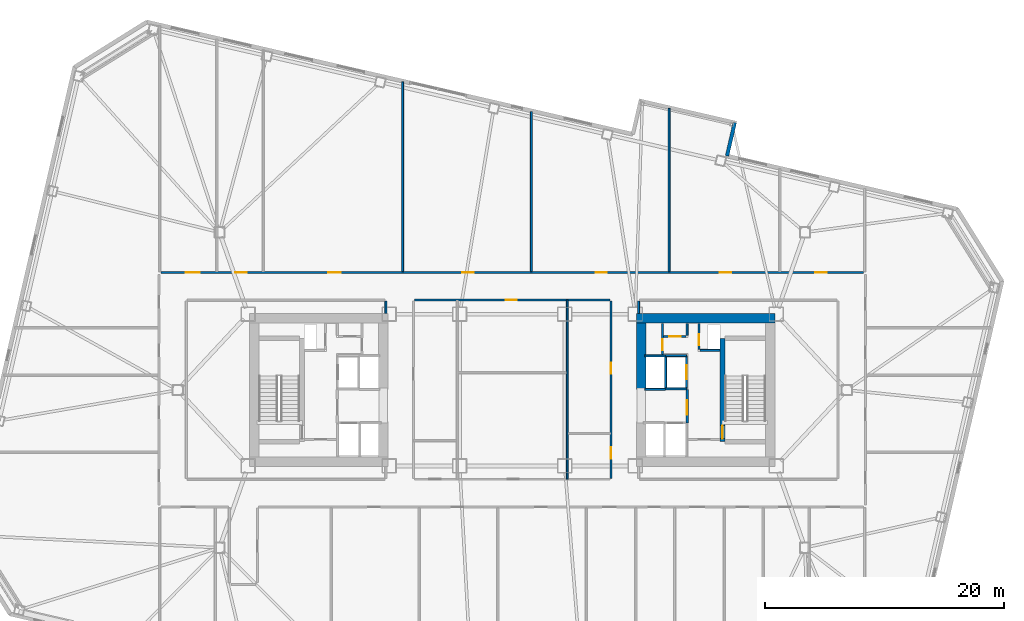
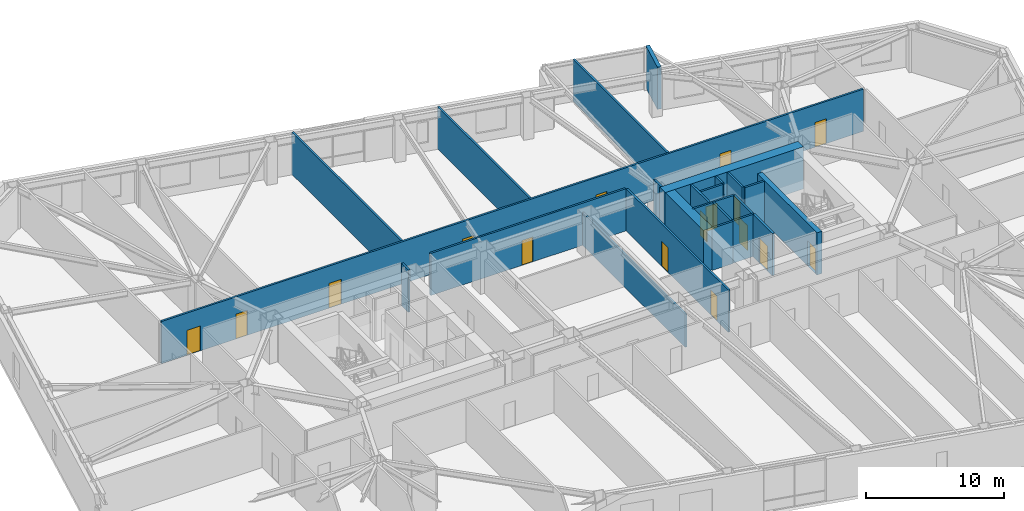
# One storey, part 14 of 21: 25 walls, 16 doors, 16 openings.
"""IFC4 building model written with IfcOpenShell, lengths in metres."""

from ifc_helpers import new_model, si_unit, direction, frame, frame_2d, origin, place, context, subcontext, project, spatial, rectangle, extrude, material, layer, layer_set, type_object, element, fill, save


model = new_model("IFC4")

# Units and contexts
model_context = context("Model", 3, precision=1e-05, world=origin(), true_north=direction((0.0, 1.0)))
body_context = subcontext(model_context, "Body", "Model", "MODEL_VIEW")
ifc_project = project(units=[si_unit("LENGTHUNIT", "METRE"), si_unit("AREAUNIT", "SQUARE_METRE"), si_unit("VOLUMEUNIT", "CUBIC_METRE"), si_unit("PLANEANGLEUNIT", "RADIAN"), si_unit("MASSUNIT", "GRAM", prefix="KILO")], contexts=[model_context])

# Site, building, storey
site_placement = place(None, origin())
site = spatial("IfcSite", under=ifc_project, at=site_placement, CompositionType="ELEMENT")
building_placement = place(site_placement, origin())
building = spatial("IfcBuilding", under=site, at=building_placement, Name="Tavrogorsk Clinical Tower", CompositionType="ELEMENT")
storey_placement = place(building_placement, frame((0.0, 0.0, 71.39990234375)))
storey = spatial("IfcBuildingStorey", under=building, at=storey_placement, Name="L15", CompositionType="ELEMENT", Elevation=71.39990234375)

# Wall, opening, door
ifc_material_1 = material(Name="Concrete B60", Category="concrete")
ifc_layer_1 = layer(ifc_material_1, 0.199951171875)
ifc_layer_set_1 = layer_set([ifc_layer_1], Name="Concrete B60")
wall_type_1 = type_object("IfcWallType", Name="CoreFireWall_200", PredefinedType="SOLIDWALL", material=ifc_layer_set_1)
wall_1_placement = place(storey_placement, frame((14.639892578125, -2.780029296875, 0.0), z_axis=(0.0, 0.0, 1.0), x_axis=(0.0, 1.0, 0.0)))
wall_1 = element("IfcWall", 1, at=wall_1_placement, inside=storey, type_object=wall_type_1, Name="L15 Core East Firefighting Lobby Fire Wall", PredefinedType="SOLIDWALL", context=body_context, shape_type="SweptSolid", body=[
    extrude(rectangle(XDim=2.820068359375, YDim=0.199951171875, at=frame_2d((1.41015625, 0.0))), origin(), (0.0, 0.0, 1.0), 3.739990234375),
])
opening_1_placement = place(wall_1_placement, frame((0.72998046875, 0.0, 0.0)))
opening_1 = element("IfcOpeningElement", 2, at=opening_1_placement, cuts=wall_1, Name="Opening FD-01", PredefinedType="OPENING", context=body_context, shape_type="SweptSolid", body=[
    extrude(rectangle(XDim=1.199951171875, YDim=2.199951171875, at=frame_2d((0.60009765625, 1.10009765625))), frame((0.0, 0.10986328125, 0.0), z_axis=(0.0, -1.0, 0.0), x_axis=(1.0, 0.0, 0.0)), (0.0, 0.0, 1.0), 0.219970703125),
])
ifc_material_2 = material(Name="Galvanised steel fire-rated door assembly", Category="steel")
door_type_1 = type_object("IfcDoorType", Name="FireDoor_FD01_1200", OperationType="NOTDEFINED", PredefinedType="DOOR", material=ifc_material_2)
door_1_placement = place(opening_1_placement, origin())
door_1 = element("IfcDoor", 3, at=door_1_placement, inside=storey, type_object=door_type_1, Name="L15 Core East Firefighting Lobby Entry Door", OperationType="SINGLE_SWING_RIGHT", OverallHeight=2.199951171875, OverallWidth=1.199951171875, PredefinedType="DOOR", context=body_context, shape_type="SweptSolid", body=[
    extrude(rectangle(XDim=1.199951171875, YDim=2.199951171875, at=frame_2d((0.60009765625, 1.10009765625))), frame((0.0, 0.02490234375, 0.0), z_axis=(0.0, -1.0, 0.0), x_axis=(1.0, 0.0, 0.0)), (0.0, 0.0, 1.0), 0.050048828125),
])
fill(opening_1, door_1)

# Wall
ifc_material_3 = material(Name="Lightweight concrete blockwork B15", Category="masonry")
ifc_layer_2 = layer(ifc_material_3, 0.139892578125)
ifc_layer_set_2 = layer_set([ifc_layer_2], Name="Lightweight concrete blockwork B15")
wall_type_2 = type_object("IfcWallType", Name="PartitionWall_140", PredefinedType="PARTITIONING", material=ifc_layer_set_2)
wall_2_placement = place(storey_placement, frame((4.60009765625, -7.465087890625, 0.0), z_axis=(0.0, 0.0, 1.0), x_axis=(0.0, 1.0, 0.0)))
element("IfcWall", 4, at=wall_2_placement, inside=storey, type_object=wall_type_2, Name="L15 Central Spine Partition 2", PredefinedType="PARTITIONING", context=body_context, shape_type="SweptSolid", body=[
    extrude(rectangle(XDim=14.97998046875, YDim=0.139892578125, at=frame_2d((7.489990234375, 0.0))), origin(), (0.0, 0.0, 1.0), 2.93505859375),
])

# Wall, opening, door
ifc_material_4 = material(Name="Lightweight concrete blockwork B15", Category="masonry")
ifc_layer_3 = layer(ifc_material_4, 0.159912109375)
ifc_layer_set_3 = layer_set([ifc_layer_3], Name="Lightweight concrete blockwork B15")
wall_type_3 = type_object("IfcWallType", Name="PartitionWall_160", PredefinedType="PARTITIONING", material=ifc_layer_set_3)
wall_3_placement = place(storey_placement, frame((12.580078125, 2.9599609375, 0.0), z_axis=(0.0, 0.0, 1.0), x_axis=(0.0, 1.0, 0.0)))
wall_3 = element("IfcWall", 5, at=wall_3_placement, inside=storey, type_object=wall_type_3, Name="L15 Core East Linen Closet Wall", PredefinedType="PARTITIONING", context=body_context, shape_type="SweptSolid", body=[
    extrude(rectangle(XDim=2.60009765625, YDim=0.159912109375, at=frame_2d((1.300048828125, 0.0))), origin(), (0.0, 0.0, 1.0), 3.739990234375),
])
opening_2_placement = place(wall_3_placement, frame((0.35009765625, 0.0, 0.0)))
opening_2 = element("IfcOpeningElement", 6, at=opening_2_placement, cuts=wall_3, Name="Opening ID-02", PredefinedType="OPENING", context=body_context, shape_type="SweptSolid", body=[
    extrude(rectangle(XDim=0.949951171875, YDim=2.199951171875, at=frame_2d((0.47509765625, 1.10009765625))), frame((0.0, 0.08984375, 0.0), z_axis=(0.0, -1.0, 0.0), x_axis=(1.0, 0.0, 0.0)), (0.0, 0.0, 1.0), 0.179931640625),
])
ifc_material_5 = material(Name="Laminated timber leaf on aluminium frame", Category="wood")
door_type_2 = type_object("IfcDoorType", Name="InteriorDoor_ID02_950", OperationType="NOTDEFINED", PredefinedType="DOOR", material=ifc_material_5)
door_2_placement = place(opening_2_placement, origin())
door_2 = element("IfcDoor", 7, at=door_2_placement, inside=storey, type_object=door_type_2, Name="L15 Core East Linen Closet Door", OperationType="SINGLE_SWING_RIGHT", OverallHeight=2.199951171875, OverallWidth=0.949951171875, PredefinedType="DOOR", context=body_context, shape_type="SweptSolid", body=[
    extrude(rectangle(XDim=0.949951171875, YDim=2.199951171875, at=frame_2d((0.47509765625, 1.10009765625))), frame((0.0, 0.02490234375, 0.0), z_axis=(0.0, -1.0, 0.0), x_axis=(1.0, 0.0, 0.0)), (0.0, 0.0, 1.0), 0.050048828125),
])
fill(opening_2, door_2)

wall_4_placement = place(storey_placement, frame((12.6650390625, 4.47998046875, 0.0), z_axis=(0.0, 0.0, 1.0), x_axis=(1.0, 0.0, 0.0)))
wall_4 = element("IfcWall", 8, at=wall_4_placement, inside=storey, type_object=wall_type_3, Name="L15 Core East Housekeeping South Wall", PredefinedType="PARTITIONING", context=body_context, shape_type="SweptSolid", body=[
    extrude(rectangle(XDim=1.889892578125, YDim=0.159912109375, at=frame_2d((0.94482421875, 0.0))), origin(), (0.0, 0.0, 1.0), 3.739990234375),
])
opening_3_placement = place(wall_4_placement, frame((0.5, 0.0, 0.0)))
opening_3 = element("IfcOpeningElement", 9, at=opening_3_placement, cuts=wall_4, Name="Opening ID-02", PredefinedType="OPENING", context=body_context, shape_type="SweptSolid", body=[
    extrude(rectangle(XDim=0.949951171875, YDim=2.199951171875, at=frame_2d((0.47509765625, 1.10009765625))), frame((0.0, 0.08984375, 0.0), z_axis=(0.0, -1.0, 0.0), x_axis=(1.0, 0.0, 0.0)), (0.0, 0.0, 1.0), 0.179931640625),
])
door_3_placement = place(opening_3_placement, origin())
door_3 = element("IfcDoor", 10, at=door_3_placement, inside=storey, type_object=door_type_2, Name="L15 Core East Housekeeping Closet Door", OperationType="SINGLE_SWING_LEFT", OverallHeight=2.199951171875, OverallWidth=0.949951171875, PredefinedType="DOOR", context=body_context, shape_type="SweptSolid", body=[
    extrude(rectangle(XDim=0.949951171875, YDim=2.199951171875, at=frame_2d((0.47509765625, 1.10009765625))), frame((0.0, 0.02490234375, 0.0), z_axis=(0.0, -1.0, 0.0), x_axis=(1.0, 0.0, 0.0)), (0.0, 0.0, 1.0), 0.050048828125),
])
fill(opening_3, door_3)

# Wall
wall_5_placement = place(storey_placement, frame((14.639892578125, 4.56494140625, 0.0), z_axis=(0.0, 0.0, 1.0), x_axis=(0.0, 1.0, 0.0)))
element("IfcWall", 11, at=wall_5_placement, inside=storey, type_object=wall_type_3, Name="L15 Core East Housekeeping East Wall", PredefinedType="PARTITIONING", context=body_context, shape_type="SweptSolid", body=[
    extrude(rectangle(XDim=0.9951171875, YDim=0.159912109375, at=frame_2d((0.49755859375, 0.0))), origin(), (0.0, 0.0, 1.0), 3.739990234375),
])

# Wall, openings, doors
wall_6_placement = place(storey_placement, frame((-29.4150390625, 9.830078125, 0.0), z_axis=(0.0, 0.0, 1.0), x_axis=(1.0, 0.0, 0.0)))
wall_6 = element("IfcWall", 12, at=wall_6_placement, inside=storey, type_object=wall_type_3, Name="L15 Corridor Partition 03", PredefinedType="PARTITIONING", context=body_context, shape_type="SweptSolid", body=[
    extrude(rectangle(XDim=58.830078125, YDim=0.159912109375, at=frame_2d((29.4150390625, 0.0))), origin(), (0.0, 0.0, 1.0), 3.739990234375),
])
opening_4_placement = place(wall_6_placement, frame((2.109130859375, 0.0, 0.0)))
opening_4 = element("IfcOpeningElement", 13, at=opening_4_placement, cuts=wall_6, Name="Opening ID-06", PredefinedType="OPENING", context=body_context, shape_type="SweptSolid", body=[
    extrude(rectangle(XDim=1.14990234375, YDim=2.199951171875, at=frame_2d((0.574951171875, 1.10009765625))), frame((0.0, 0.08984375, 0.0), z_axis=(0.0, -1.0, 0.0), x_axis=(1.0, 0.0, 0.0)), (0.0, 0.0, 1.0), 0.179931640625),
])
opening_5_placement = place(wall_6_placement, frame((6.2451171875, 0.0, 0.0)))
opening_5 = element("IfcOpeningElement", 14, at=opening_5_placement, cuts=wall_6, Name="Opening ID-02", PredefinedType="OPENING", context=body_context, shape_type="SweptSolid", body=[
    extrude(rectangle(XDim=0.949951171875, YDim=2.199951171875, at=frame_2d((0.47509765625, 1.10009765625))), frame((0.0, 0.08984375, 0.0), z_axis=(0.0, -1.0, 0.0), x_axis=(1.0, 0.0, 0.0)), (0.0, 0.0, 1.0), 0.179931640625),
])
opening_6_placement = place(wall_6_placement, frame((14.02001953125, 0.0, 0.0)))
opening_6 = element("IfcOpeningElement", 15, at=opening_6_placement, cuts=wall_6, Name="Opening ID-04", PredefinedType="OPENING", context=body_context, shape_type="SweptSolid", body=[
    extrude(rectangle(XDim=1.050048828125, YDim=2.199951171875, at=frame_2d((0.52490234375, 1.10009765625))), frame((0.0, 0.08984375, 0.0), z_axis=(0.0, -1.0, 0.0), x_axis=(1.0, 0.0, 0.0)), (0.0, 0.0, 1.0), 0.179931640625),
])
opening_7_placement = place(wall_6_placement, frame((25.239990234375, 0.0, 0.0)))
opening_7 = element("IfcOpeningElement", 16, at=opening_7_placement, cuts=wall_6, Name="Opening ID-02", PredefinedType="OPENING", context=body_context, shape_type="SweptSolid", body=[
    extrude(rectangle(XDim=0.949951171875, YDim=2.199951171875, at=frame_2d((0.47509765625, 1.10009765625))), frame((0.0, 0.08984375, 0.0), z_axis=(0.0, -1.0, 0.0), x_axis=(1.0, 0.0, 0.0)), (0.0, 0.0, 1.0), 0.179931640625),
])
opening_8_placement = place(wall_6_placement, frame((36.389892578125, 0.0, 0.0)))
opening_8 = element("IfcOpeningElement", 17, at=opening_8_placement, cuts=wall_6, Name="Opening ID-02", PredefinedType="OPENING", context=body_context, shape_type="SweptSolid", body=[
    extrude(rectangle(XDim=0.949951171875, YDim=2.199951171875, at=frame_2d((0.47509765625, 1.10009765625))), frame((0.0, 0.08984375, 0.0), z_axis=(0.0, -1.0, 0.0), x_axis=(1.0, 0.0, 0.0)), (0.0, 0.0, 1.0), 0.179931640625),
])
opening_9_placement = place(wall_6_placement, frame((46.7900390625, 0.0, 0.0)))
opening_9 = element("IfcOpeningElement", 18, at=opening_9_placement, cuts=wall_6, Name="Opening ID-02", PredefinedType="OPENING", context=body_context, shape_type="SweptSolid", body=[
    extrude(rectangle(XDim=0.949951171875, YDim=2.199951171875, at=frame_2d((0.47509765625, 1.10009765625))), frame((0.0, 0.08984375, 0.0), z_axis=(0.0, -1.0, 0.0), x_axis=(1.0, 0.0, 0.0)), (0.0, 0.0, 1.0), 0.179931640625),
])
opening_10_placement = place(wall_6_placement, frame((54.781005859375, 0.0, 0.0)))
opening_10 = element("IfcOpeningElement", 19, at=opening_10_placement, cuts=wall_6, Name="Opening ID-02", PredefinedType="OPENING", context=body_context, shape_type="SweptSolid", body=[
    extrude(rectangle(XDim=0.949951171875, YDim=2.199951171875, at=frame_2d((0.47509765625, 1.10009765625))), frame((0.0, 0.08984375, 0.0), z_axis=(0.0, -1.0, 0.0), x_axis=(1.0, 0.0, 0.0)), (0.0, 0.0, 1.0), 0.179931640625),
])
ifc_material_6 = material(Name="Antibacterial HPL consultation door on aluminium frame", Category="aluminium")
door_type_3 = type_object("IfcDoorType", Name="ConsultDoor_ID04_1050", OperationType="NOTDEFINED", PredefinedType="DOOR", material=ifc_material_6)
door_4_placement = place(opening_6_placement, origin())
door_4 = element("IfcDoor", 20, at=door_4_placement, inside=storey, type_object=door_type_3, Name="L15 North Patient Mobility Lounge 02A Door", OperationType="SINGLE_SWING_LEFT", OverallHeight=2.199951171875, OverallWidth=1.050048828125, PredefinedType="DOOR", context=body_context, shape_type="SweptSolid", body=[
    extrude(rectangle(XDim=1.050048828125, YDim=2.199951171875, at=frame_2d((0.52490234375, 1.10009765625))), frame((0.0, 0.02490234375, 0.0), z_axis=(0.0, -1.0, 0.0), x_axis=(1.0, 0.0, 0.0)), (0.0, 0.0, 1.0), 0.050048828125),
])
fill(opening_6, door_4)
door_5_placement = place(opening_5_placement, origin())
door_5 = element("IfcDoor", 21, at=door_5_placement, inside=storey, type_object=door_type_2, Name="L15 North Speech & Occupational Therapy Office 01B Door", OperationType="SINGLE_SWING_RIGHT", OverallHeight=2.199951171875, OverallWidth=0.949951171875, PredefinedType="DOOR", context=body_context, shape_type="SweptSolid", body=[
    extrude(rectangle(XDim=0.949951171875, YDim=2.199951171875, at=frame_2d((0.47509765625, 1.10009765625))), frame((0.0, 0.02490234375, 0.0), z_axis=(0.0, -1.0, 0.0), x_axis=(1.0, 0.0, 0.0)), (0.0, 0.0, 1.0), 0.050048828125),
])
fill(opening_5, door_5)
door_6_placement = place(opening_7_placement, origin())
door_6 = element("IfcDoor", 22, at=door_6_placement, inside=storey, type_object=door_type_2, Name="L15 North Neuro-Rehabilitation Robotics Gym 02B Door", OperationType="SINGLE_SWING_RIGHT", OverallHeight=2.199951171875, OverallWidth=0.949951171875, PredefinedType="DOOR", context=body_context, shape_type="SweptSolid", body=[
    extrude(rectangle(XDim=0.949951171875, YDim=2.199951171875, at=frame_2d((0.47509765625, 1.10009765625))), frame((0.0, 0.02490234375, 0.0), z_axis=(0.0, -1.0, 0.0), x_axis=(1.0, 0.0, 0.0)), (0.0, 0.0, 1.0), 0.050048828125),
])
fill(opening_7, door_6)
door_7_placement = place(opening_8_placement, origin())
door_7 = element("IfcDoor", 23, at=door_7_placement, inside=storey, type_object=door_type_2, Name="L15 North Rehabilitation Case Seminar Room 03A Door", OperationType="SINGLE_SWING_LEFT", OverallHeight=2.199951171875, OverallWidth=0.949951171875, PredefinedType="DOOR", context=body_context, shape_type="SweptSolid", body=[
    extrude(rectangle(XDim=0.949951171875, YDim=2.199951171875, at=frame_2d((0.47509765625, 1.10009765625))), frame((0.0, 0.02490234375, 0.0), z_axis=(0.0, -1.0, 0.0), x_axis=(1.0, 0.0, 0.0)), (0.0, 0.0, 1.0), 0.050048828125),
])
fill(opening_8, door_7)
door_8_placement = place(opening_9_placement, origin())
door_8 = element("IfcDoor", 24, at=door_8_placement, inside=storey, type_object=door_type_2, Name="L15 North Patient Mobility Lounge 03B Door", OperationType="SINGLE_SWING_RIGHT", OverallHeight=2.199951171875, OverallWidth=0.949951171875, PredefinedType="DOOR", context=body_context, shape_type="SweptSolid", body=[
    extrude(rectangle(XDim=0.949951171875, YDim=2.199951171875, at=frame_2d((0.47509765625, 1.10009765625))), frame((0.0, 0.02490234375, 0.0), z_axis=(0.0, -1.0, 0.0), x_axis=(1.0, 0.0, 0.0)), (0.0, 0.0, 1.0), 0.050048828125),
])
fill(opening_9, door_8)
door_9_placement = place(opening_10_placement, origin())
door_9 = element("IfcDoor", 25, at=door_9_placement, inside=storey, type_object=door_type_2, Name="L15 North Speech & Occupational Therapy Office 04 Door", OperationType="SINGLE_SWING_LEFT", OverallHeight=2.199951171875, OverallWidth=0.949951171875, PredefinedType="DOOR", context=body_context, shape_type="SweptSolid", body=[
    extrude(rectangle(XDim=0.949951171875, YDim=2.199951171875, at=frame_2d((0.47509765625, 1.10009765625))), frame((0.0, 0.02490234375, 0.0), z_axis=(0.0, -1.0, 0.0), x_axis=(1.0, 0.0, 0.0)), (0.0, 0.0, 1.0), 0.050048828125),
])
fill(opening_10, door_9)
ifc_material_7 = material(Name="Antibacterial HPL procedure door on aluminium frame", Category="aluminium")
door_type_4 = type_object("IfcDoorType", Name="LabDoor_ID06_1150", OperationType="NOTDEFINED", PredefinedType="DOOR", material=ifc_material_7)
door_10_placement = place(opening_4_placement, origin())
door_10 = element("IfcDoor", 26, at=door_10_placement, inside=storey, type_object=door_type_4, Name="L15 North Neuro-Rehabilitation Robotics Gym 01A Door", OperationType="SINGLE_SWING_LEFT", OverallHeight=2.199951171875, OverallWidth=1.14990234375, PredefinedType="DOOR", context=body_context, shape_type="SweptSolid", body=[
    extrude(rectangle(XDim=1.14990234375, YDim=2.199951171875, at=frame_2d((0.574951171875, 1.10009765625))), frame((0.0, 0.02490234375, 0.0), z_axis=(0.0, -1.0, 0.0), x_axis=(1.0, 0.0, 0.0)), (0.0, 0.0, 1.0), 0.050048828125),
])
fill(opening_4, door_10)

# Wall
wall_7_placement = place(storey_placement, frame((10.580078125, 7.43505859375, 0.0), z_axis=(0.0, 0.0, 1.0), x_axis=(0.0, -1.0, 0.0)))
element("IfcWall", 27, at=wall_7_placement, inside=storey, type_object=wall_type_3, Name="L15 Corridor Partition 10", PredefinedType="PARTITIONING", context=body_context, shape_type="SweptSolid", body=[
    extrude(rectangle(XDim=1.01513671875, YDim=0.159912109375, at=frame_2d((0.507568359375, 0.0))), origin(), (0.0, 0.0, 1.0), 3.739990234375),
])

# Wall, opening, door
wall_8_placement = place(storey_placement, frame((8.18505859375, 7.52001953125, 0.0), z_axis=(0.0, 0.0, 1.0), x_axis=(-1.0, 0.0, 0.0)))
wall_8 = element("IfcWall", 28, at=wall_8_placement, inside=storey, type_object=wall_type_3, Name="L15 Corridor Partition 14", PredefinedType="PARTITIONING", context=body_context, shape_type="SweptSolid", body=[
    extrude(rectangle(XDim=16.3701171875, YDim=0.159912109375, at=frame_2d((8.18505859375, 0.0))), origin(), (0.0, 0.0, 1.0), 3.739990234375),
])
opening_11_placement = place(wall_8_placement, frame((7.794921875, 0.0, 0.0)))
opening_11 = element("IfcOpeningElement", 29, at=opening_11_placement, cuts=wall_8, Name="Opening ID-02", PredefinedType="OPENING", context=body_context, shape_type="SweptSolid", body=[
    extrude(rectangle(XDim=0.949951171875, YDim=2.199951171875, at=frame_2d((0.47509765625, 1.10009765625))), frame((0.0, 0.08984375, 0.0), z_axis=(0.0, -1.0, 0.0), x_axis=(1.0, 0.0, 0.0)), (0.0, 0.0, 1.0), 0.179931640625),
])
door_11_placement = place(opening_11_placement, origin())
door_11 = element("IfcDoor", 30, at=door_11_placement, inside=storey, type_object=door_type_2, Name="L15 Nurses' Station & Triage Hub Door", OperationType="SINGLE_SWING_RIGHT", OverallHeight=2.199951171875, OverallWidth=0.949951171875, PredefinedType="DOOR", context=body_context, shape_type="SweptSolid", body=[
    extrude(rectangle(XDim=0.949951171875, YDim=2.199951171875, at=frame_2d((0.47509765625, 1.10009765625))), frame((0.0, 0.02490234375, 0.0), z_axis=(0.0, -1.0, 0.0), x_axis=(1.0, 0.0, 0.0)), (0.0, 0.0, 1.0), 0.050048828125),
])
fill(opening_11, door_11)

# Wall, openings, doors
wall_9_placement = place(storey_placement, frame((8.27001953125, -7.385009765625, 0.0), z_axis=(0.0, 0.0, 1.0), x_axis=(0.0, 1.0, 0.0)))
wall_9 = element("IfcWall", 31, at=wall_9_placement, inside=storey, type_object=wall_type_3, Name="L15 Corridor Partition 17", PredefinedType="PARTITIONING", context=body_context, shape_type="SweptSolid", body=[
    extrude(rectangle(XDim=14.820068359375, YDim=0.159912109375, at=frame_2d((7.41015625, 0.0))), origin(), (0.0, 0.0, 1.0), 3.739990234375),
])
opening_12_placement = place(wall_9_placement, frame((1.629150390625, 0.0, 0.0)))
opening_12 = element("IfcOpeningElement", 32, at=opening_12_placement, cuts=wall_9, Name="Opening ID-02", PredefinedType="OPENING", context=body_context, shape_type="SweptSolid", body=[
    extrude(rectangle(XDim=0.949951171875, YDim=2.199951171875, at=frame_2d((0.47509765625, 1.10009765625))), frame((0.0, 0.08984375, 0.0), z_axis=(0.0, -1.0, 0.0), x_axis=(1.0, 0.0, 0.0)), (0.0, 0.0, 1.0), 0.179931640625),
])
opening_13_placement = place(wall_9_placement, frame((8.73583984375, 0.0, 0.0)))
opening_13 = element("IfcOpeningElement", 33, at=opening_13_placement, cuts=wall_9, Name="Opening ID-02", PredefinedType="OPENING", context=body_context, shape_type="SweptSolid", body=[
    extrude(rectangle(XDim=0.949951171875, YDim=2.199951171875, at=frame_2d((0.47509765625, 1.10009765625))), frame((0.0, 0.08984375, 0.0), z_axis=(0.0, -1.0, 0.0), x_axis=(1.0, 0.0, 0.0)), (0.0, 0.0, 1.0), 0.179931640625),
])
door_12_placement = place(opening_12_placement, origin())
door_12 = element("IfcDoor", 34, at=door_12_placement, inside=storey, type_object=door_type_2, Name="L15 Staff & Visitor Accessible WC Door", OperationType="SINGLE_SWING_LEFT", OverallHeight=2.199951171875, OverallWidth=0.949951171875, PredefinedType="DOOR", context=body_context, shape_type="SweptSolid", body=[
    extrude(rectangle(XDim=0.949951171875, YDim=2.199951171875, at=frame_2d((0.47509765625, 1.10009765625))), frame((0.0, 0.02490234375, 0.0), z_axis=(0.0, -1.0, 0.0), x_axis=(1.0, 0.0, 0.0)), (0.0, 0.0, 1.0), 0.050048828125),
])
fill(opening_12, door_12)
door_13_placement = place(opening_13_placement, origin())
door_13 = element("IfcDoor", 35, at=door_13_placement, inside=storey, type_object=door_type_2, Name="L15 Attending Physician Office Door", OperationType="SINGLE_SWING_RIGHT", OverallHeight=2.199951171875, OverallWidth=0.949951171875, PredefinedType="DOOR", context=body_context, shape_type="SweptSolid", body=[
    extrude(rectangle(XDim=0.949951171875, YDim=2.199951171875, at=frame_2d((0.47509765625, 1.10009765625))), frame((0.0, 0.02490234375, 0.0), z_axis=(0.0, -1.0, 0.0), x_axis=(1.0, 0.0, 0.0)), (0.0, 0.0, 1.0), 0.050048828125),
])
fill(opening_13, door_13)

# Walls
wall_10_placement = place(storey_placement, frame((-10.580078125, 6.419921875, 0.0), z_axis=(0.0, 0.0, 1.0), x_axis=(0.0, 1.0, 0.0)))
element("IfcWall", 36, at=wall_10_placement, inside=storey, type_object=wall_type_3, Name="L15 Corridor Partition 19", PredefinedType="PARTITIONING", context=body_context, shape_type="SweptSolid", body=[
    extrude(rectangle(XDim=1.01513671875, YDim=0.159912109375, at=frame_2d((0.507568359375, 0.0))), origin(), (0.0, 0.0, 1.0), 3.739990234375),
])
wall_11_placement = place(storey_placement, frame((1.60009765625, 9.9150390625, 0.0), z_axis=(0.0, 0.0, 1.0), x_axis=(0.0, 1.0, 0.0)))
element("IfcWall", 37, at=wall_11_placement, inside=storey, type_object=wall_type_3, Name="L15 North Room Partition 2", PredefinedType="PARTITIONING", context=body_context, shape_type="SweptSolid", body=[
    extrude(rectangle(XDim=13.388671875, YDim=0.159912109375, at=frame_2d((6.6943359375, 0.0))), origin(), (0.0, 0.0, 1.0), 3.739990234375),
])
wall_12_placement = place(storey_placement, frame((-9.169921875, 9.9150390625, 0.0), z_axis=(0.0, 0.0, 1.0), x_axis=(0.0, 1.0, 0.0)))
element("IfcWall", 38, at=wall_12_placement, inside=storey, type_object=wall_type_3, Name="L15 North Sub-Partition 2", PredefinedType="PARTITIONING", context=body_context, shape_type="SweptSolid", body=[
    extrude(rectangle(XDim=15.875, YDim=0.159912109375, at=frame_2d((7.9375, 0.0))), origin(), (0.0, 0.0, 1.0), 3.739990234375),
])
wall_13_placement = place(storey_placement, frame((13.1298828125, 9.9150390625, 0.0), z_axis=(0.0, 0.0, 1.0), x_axis=(0.0, 1.0, 0.0)))
element("IfcWall", 39, at=wall_13_placement, inside=storey, type_object=wall_type_3, Name="L15 North Sub-Partition 3", PredefinedType="PARTITIONING", context=body_context, shape_type="SweptSolid", body=[
    extrude(rectangle(XDim=13.651611328125, YDim=0.159912109375, at=frame_2d((6.82568359375, 0.0))), origin(), (0.0, 0.0, 1.0), 3.739990234375),
])

# Wall, opening, door
ifc_material_8 = material(Name="Lightweight concrete blockwork B25", Category="masonry")
ifc_layer_4 = layer(ifc_material_8, 0.159912109375)
ifc_layer_set_4 = layer_set([ifc_layer_4], Name="Lightweight concrete blockwork B25")
wall_type_4 = type_object("IfcWallType", Name="ShaftWall_160", PredefinedType="PARTITIONING", material=ifc_layer_set_4)
wall_14_placement = place(storey_placement, frame((14.60009765625, 0.1201171875, 0.0), z_axis=(0.0, 0.0, 1.0), x_axis=(0.0, 1.0, 0.0)))
wall_14 = element("IfcWall", 40, at=wall_14_placement, inside=storey, type_object=wall_type_4, Name="L15 FFL-E Firefighting Lift Front Wall", PredefinedType="PARTITIONING", context=body_context, shape_type="SweptSolid", body=[
    extrude(rectangle(XDim=2.739990234375, YDim=0.159912109375, at=frame_2d((1.3701171875, 0.0))), origin(), (0.0, 0.0, 1.0), 3.739990234375),
])
opening_14_placement = place(wall_14_placement, frame((0.77001953125, 0.0, 0.0)))
opening_14 = element("IfcOpeningElement", 41, at=opening_14_placement, cuts=wall_14, Name="Opening LD", PredefinedType="OPENING", context=body_context, shape_type="SweptSolid", body=[
    extrude(rectangle(XDim=1.199951171875, YDim=2.199951171875, at=frame_2d((0.60009765625, 1.10009765625))), frame((0.0, 0.08984375, 0.0), z_axis=(0.0, -1.0, 0.0), x_axis=(1.0, 0.0, 0.0)), (0.0, 0.0, 1.0), 0.179931640625),
])
ifc_material_9 = material(Name="Brushed stainless steel AISI 304 sliding doors", Category="steel")
door_type_5 = type_object("IfcDoorType", Name="LiftLandingDoor_LD_1200", OperationType="SLIDING_TO_LEFT", PredefinedType="DOOR", material=ifc_material_9)
door_14_placement = place(opening_14_placement, origin())
door_14 = element("IfcDoor", 42, at=door_14_placement, inside=storey, type_object=door_type_5, Name="L15 FFL-E Sliding Lift Landing Door", OperationType="SLIDING_TO_LEFT", OverallHeight=2.199951171875, OverallWidth=1.199951171875, PredefinedType="DOOR", context=body_context, shape_type="SweptSolid", body=[
    extrude(rectangle(XDim=1.199951171875, YDim=2.199951171875, at=frame_2d((0.60009765625, 1.10009765625))), frame((0.0, 0.02490234375, 0.0), z_axis=(0.0, -1.0, 0.0), x_axis=(1.0, 0.0, 0.0)), (0.0, 0.0, 1.0), 0.050048828125),
])
fill(opening_14, door_14)

# Walls
for number, where, z_axis, x_axis, name in (
    (43, (12.840087890625, 0.10009765625, 0.0), (0.0, 0.0, 1.0), (1.0, 0.0, 0.0), "L15 FFL-E Shaft South Wall"),
    (44, (12.840087890625, 2.8798828125, 0.0), (0.0, 0.0, 1.0), (1.0, 0.0, 0.0), "L15 FFL-E Shaft North Wall"),
):
    element("IfcWall", number, at=place(storey_placement, frame(where, z_axis=z_axis, x_axis=x_axis)), inside=storey, type_object=wall_type_4, Name=name, PredefinedType="PARTITIONING", context=body_context, shape_type="SweptSolid", body=[
        extrude(rectangle(XDim=1.760009765625, YDim=0.159912109375, at=frame_2d((0.8798828125, 0.0))), origin(), (0.0, 0.0, 1.0), 3.739990234375),
    ])
wall_15_placement = place(storey_placement, frame((12.840087890625, 0.179931640625, 0.0), z_axis=(0.0, 0.0, 1.0), x_axis=(0.0, 1.0, 0.0)))
element("IfcWall", 45, at=wall_15_placement, inside=storey, type_object=wall_type_4, Name="L15 FFL-E Shaft Back Wall", PredefinedType="PARTITIONING", context=body_context, shape_type="SweptSolid", body=[
    extrude(rectangle(XDim=2.6201171875, YDim=0.159912109375, at=frame_2d((1.31005859375, 0.0))), origin(), (0.0, 0.0, 1.0), 3.739990234375),
])
for number, where, z_axis, x_axis, name in (
    (46, (11.10009765625, 0.06005859375, 0.0), (0.0, 0.0, 1.0), (1.0, 0.0, 0.0), "L15 LP-H2 High-Zone Lift Portal Wall"),
    (47, (11.10009765625, 2.860107421875, 0.0), (0.0, 0.0, 1.0), (1.0, 0.0, 0.0), "L15 LP-H2 High-Zone Lift Rear Wall"),
):
    element("IfcWall", number, at=place(storey_placement, frame(where, z_axis=z_axis, x_axis=x_axis)), inside=storey, type_object=wall_type_4, Name=name, PredefinedType="PARTITIONING", context=body_context, shape_type="SweptSolid", body=[
        extrude(rectangle(XDim=1.719970703125, YDim=0.159912109375, at=frame_2d((0.85986328125, 0.0))), origin(), (0.0, 0.0, 1.0), 3.739990234375),
    ])

# Wall, opening, door
wall_16_placement = place(storey_placement, frame((15.639892578125, 3.405029296875, 0.0), z_axis=(0.0, 0.0, 1.0), x_axis=(0.0, 1.0, 0.0)))
wall_16 = element("IfcWall", 48, at=wall_16_placement, inside=storey, type_object=wall_type_4, Name="L15 Core East Riser West Wall", PredefinedType="PARTITIONING", context=body_context, shape_type="SweptSolid", body=[
    extrude(rectangle(XDim=2.155029296875, YDim=0.159912109375, at=frame_2d((1.07763671875, 0.0))), origin(), (0.0, 0.0, 1.0), 3.739990234375),
])
opening_15_placement = place(wall_16_placement, frame((0.35009765625, 0.0, 0.0)))
opening_15 = element("IfcOpeningElement", 49, at=opening_15_placement, cuts=wall_16, Name="Opening FD-02", PredefinedType="OPENING", context=body_context, shape_type="SweptSolid", body=[
    extrude(rectangle(XDim=0.89990234375, YDim=2.199951171875, at=frame_2d((0.449951171875, 1.10009765625))), frame((0.0, 0.08984375, 0.0), z_axis=(0.0, -1.0, 0.0), x_axis=(1.0, 0.0, 0.0)), (0.0, 0.0, 1.0), 0.179931640625),
])
ifc_material_10 = material(Name="Galvanised steel fire-rated door assembly", Category="steel")
door_type_6 = type_object("IfcDoorType", Name="FireDoor_FD02_900", OperationType="NOTDEFINED", PredefinedType="DOOR", material=ifc_material_10)
door_15_placement = place(opening_15_placement, origin())
door_15 = element("IfcDoor", 50, at=door_15_placement, inside=storey, type_object=door_type_6, Name="L15 Core East Electrical Riser Access Door", OperationType="SINGLE_SWING_RIGHT", OverallHeight=2.199951171875, OverallWidth=0.89990234375, PredefinedType="DOOR", context=body_context, shape_type="SweptSolid", body=[
    extrude(rectangle(XDim=0.89990234375, YDim=2.199951171875, at=frame_2d((0.449951171875, 1.10009765625))), frame((0.0, 0.02490234375, 0.0), z_axis=(0.0, -1.0, 0.0), x_axis=(1.0, 0.0, 0.0)), (0.0, 0.0, 1.0), 0.050048828125),
])
fill(opening_15, door_15)

# Wall
wall_17_placement = place(storey_placement, frame((15.72509765625, 3.320068359375, 0.0), z_axis=(0.0, 0.0, 1.0), x_axis=(1.0, 0.0, 0.0)))
element("IfcWall", 51, at=wall_17_placement, inside=storey, type_object=wall_type_4, Name="L15 Core East Riser South Wall", PredefinedType="PARTITIONING", context=body_context, shape_type="SweptSolid", body=[
    extrude(rectangle(XDim=1.65478515625, YDim=0.159912109375, at=frame_2d((0.827392578125, 0.0))), origin(), (0.0, 0.0, 1.0), 3.739990234375),
])

# Wall, opening, door
ifc_material_11 = material(Name="Concrete B80", Category="concrete")
ifc_layer_5 = layer(ifc_material_11, 0.39990234375)
ifc_layer_set_5 = layer_set([ifc_layer_5], Name="Concrete B80")
wall_type_5 = type_object("IfcWallType", Name="ShearWall_400", PredefinedType="SHEAR", material=ifc_layer_set_5)
wall_18_placement = place(storey_placement, frame((17.60009765625, -4.324951171875, 0.0), z_axis=(0.0, 0.0, 1.0), x_axis=(0.0, 1.0, 0.0)))
wall_18 = element("IfcWall", 52, at=wall_18_placement, inside=storey, type_object=wall_type_5, Name="L15 Core East Stair Shaft Inner Shear Wall", PredefinedType="SHEAR", context=body_context, shape_type="SweptSolid", body=[
    extrude(rectangle(XDim=8.64990234375, YDim=0.39990234375, at=frame_2d((4.324951171875, 0.0))), origin(), (0.0, 0.0, 1.0), 3.739990234375),
])
opening_16_placement = place(wall_18_placement, frame((0.25, 0.0, 0.0)))
opening_16 = element("IfcOpeningElement", 53, at=opening_16_placement, cuts=wall_18, Name="Opening SD-01", PredefinedType="OPENING", context=body_context, shape_type="SweptSolid", body=[
    extrude(rectangle(XDim=1.10009765625, YDim=2.199951171875, at=frame_2d((0.550048828125, 1.10009765625))), frame((0.0, 0.2099609375, 0.0), z_axis=(0.0, -1.0, 0.0), x_axis=(1.0, 0.0, 0.0)), (0.0, 0.0, 1.0), 0.419921875),
])
ifc_material_12 = material(Name="Galvanised steel smoke-tight fire door assembly", Category="steel")
door_type_7 = type_object("IfcDoorType", Name="StairFireDoor_SD01_1100", OperationType="NOTDEFINED", PredefinedType="DOOR", material=ifc_material_12)
door_16_placement = place(opening_16_placement, origin())
door_16 = element("IfcDoor", 54, at=door_16_placement, inside=storey, type_object=door_type_7, Name="L15 ST-E Exit Stair Door", OperationType="SINGLE_SWING_LEFT", OverallHeight=2.199951171875, OverallWidth=1.10009765625, PredefinedType="DOOR", context=body_context, shape_type="SweptSolid", body=[
    extrude(rectangle(XDim=1.10009765625, YDim=2.199951171875, at=frame_2d((0.550048828125, 1.10009765625))), frame((0.0, 0.02490234375, 0.0), z_axis=(0.0, -1.0, 0.0), x_axis=(1.0, 0.0, 0.0)), (0.0, 0.0, 1.0), 0.050048828125),
])
fill(opening_16, door_16)

# Walls
ifc_material_13 = material(Name="Concrete B80", Category="concrete")
ifc_layer_6 = layer(ifc_material_13, 0.800048828125)
ifc_layer_set_6 = layer_set([ifc_layer_6], Name="Concrete B80")
wall_type_6 = type_object("IfcWallType", Name="ShearWall_800", PredefinedType="SHEAR", material=ifc_layer_set_6)
wall_19_placement = place(storey_placement, frame((10.39990234375, 6.0, 0.0), z_axis=(0.0, 0.0, 1.0), x_axis=(1.0, 0.0, 0.0)))
element("IfcWall", 55, at=wall_19_placement, inside=storey, type_object=wall_type_6, Name="L15 Core East North Shear Wall", PredefinedType="SHEAR", context=body_context, shape_type="SweptSolid", body=[
    extrude(rectangle(XDim=11.60009765625, YDim=0.800048828125, at=frame_2d((5.800048828125, 0.0))), origin(), (0.0, 0.0, 1.0), 3.739990234375),
])
wall_20_placement = place(storey_placement, frame((10.800048828125, 0.050048828125, 0.0), z_axis=(0.0, 0.0, 1.0), x_axis=(0.0, 1.0, 0.0)))
element("IfcWall", 56, at=wall_20_placement, inside=storey, type_object=wall_type_6, Name="L15 Core East Inner North Pier", PredefinedType="SHEAR", context=body_context, shape_type="SweptSolid", body=[
    extrude(rectangle(XDim=5.550048828125, YDim=0.800048828125, at=frame_2d((2.77490234375, 0.0))), origin(), (0.0, 0.0, 1.0), 3.739990234375),
])
ifc_material_14 = material(Name="Precast concrete B45 with mineral wool", Category="concrete")
ifc_layer_7 = layer(ifc_material_14, 0.300048828125)
ifc_layer_set_7 = layer_set([ifc_layer_7], Name="Precast concrete B45 with mineral wool")
wall_type_7 = type_object("IfcWallType", Name="SpandrelBackWall_300", PredefinedType="STANDARD", material=ifc_layer_set_7)
wall_21_placement = place(storey_placement, frame((17.98486328125, 19.5927734375, 0.0), z_axis=(0.0, 0.0, 1.0), x_axis=(0.224921635065, 0.974376856293, 0.0)))
element("IfcWall", 57, at=wall_21_placement, inside=storey, type_object=wall_type_7, Name="L15 Day-Room Cheek Wall DRB-02-R", PredefinedType="STANDARD", context=body_context, shape_type="SweptSolid", body=[
    extrude(rectangle(XDim=2.869873046875, YDim=0.300048828125, at=frame_2d((1.43505859375, 0.0))), origin(), (0.0, 0.0, 1.0), 3.739990234375),
])

save(model, "model.ifc")
